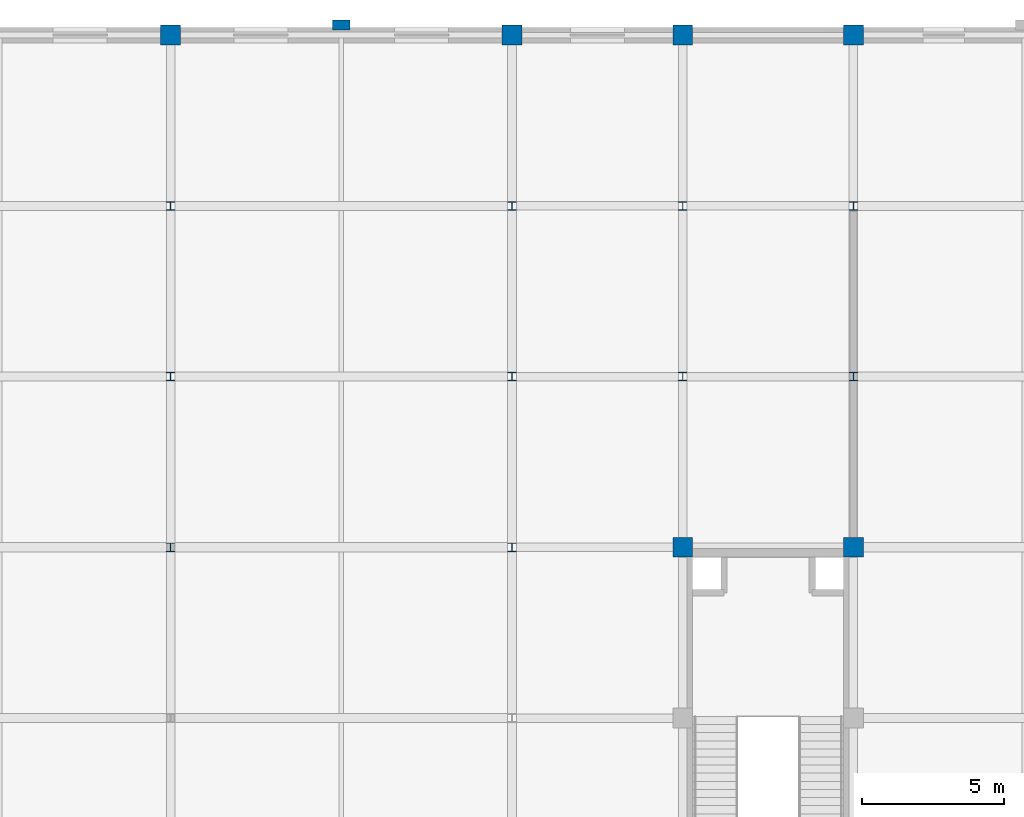
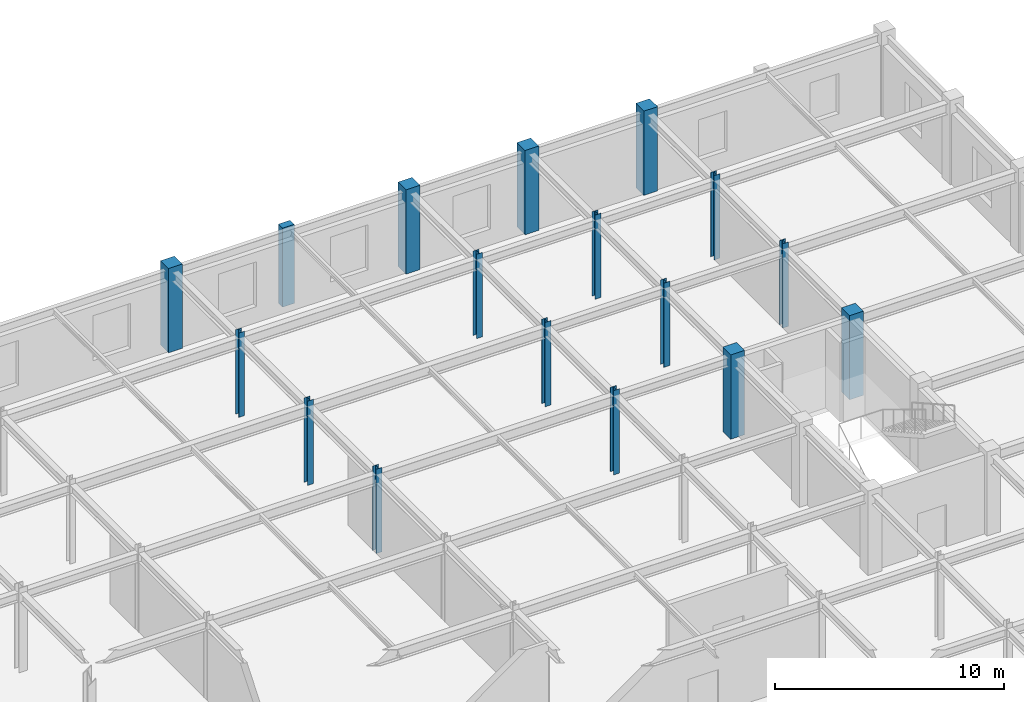
# One storey, part 23 of 108: 17 columns.
"""IFC4 building model written with IfcOpenShell, lengths in metres."""

from ifc_helpers import new_model, si_unit, direction, frame, origin, origin_2d, place, context, subcontext, project, spatial, rectangle, i_section, extrude, material, material_profile, profile_set, type_object, element, save


model = new_model("IFC4")

# Units and contexts
model_context = context("Model", 3, precision=1e-05, world=origin(), true_north=direction((0.0, 1.0)))
body_context = subcontext(model_context, "Body", "Model", "MODEL_VIEW")
ifc_project = project(units=[si_unit("LENGTHUNIT", "METRE"), si_unit("AREAUNIT", "SQUARE_METRE"), si_unit("VOLUMEUNIT", "CUBIC_METRE"), si_unit("PLANEANGLEUNIT", "RADIAN"), si_unit("MASSUNIT", "GRAM", prefix="KILO")], contexts=[model_context])

# Site, building, storey
site_placement = place(None, origin())
site = spatial("IfcSite", under=ifc_project, at=site_placement, CompositionType="ELEMENT")
building_placement = place(site_placement, origin())
building = spatial("IfcBuilding", under=site, at=building_placement, Name="Zlatovratsky Civic Hall", CompositionType="ELEMENT")
storey_placement = place(building_placement, frame((0.0, 0.0, 12.0)))
storey = spatial("IfcBuildingStorey", under=building, at=storey_placement, Name="L03", CompositionType="ELEMENT", Elevation=12.0)

# Columns
ifc_material_1 = material(Name="Concrete C35/45 (B40)", Category="concrete")
ifc_material_profile_1 = material_profile(ifc_material_1, rectangle(XDim=0.699951171875, YDim=0.699951171875, at=origin_2d()), Name="RC 700x700")
ifc_profile_set_1 = profile_set([ifc_material_profile_1], Name="Concrete C35/45 (B40)")
column_type_1 = type_object("IfcColumnType", Name="Col_CorePier_RC700", PredefinedType="COLUMN", material=ifc_profile_set_1)
for number, where, z_axis, x_axis, name in (
    (1, (150.0, 96.0, 0.0), (0.0, 0.0, 1.0), (1.0, 0.0, 0.0), "CL-1479"),
    (2, (156.0, 96.0, 0.0), (0.0, 0.0, 1.0), (1.0, 0.0, 0.0), "CL-1480"),
    (3, (132.0, 114.0, 0.0), (0.0, 0.0, 1.0), (1.0, 0.0, 0.0), "CL-1546"),
    (4, (144.0, 114.0, 0.0), (0.0, 0.0, 1.0), (1.0, 0.0, 0.0), "CL-1547"),
    (5, (150.0, 114.0, 0.0), (0.0, 0.0, 1.0), (1.0, 0.0, 0.0), "CL-1548"),
    (6, (156.0, 114.0, 0.0), (0.0, 0.0, 1.0), (1.0, 0.0, 0.0), "CL-1549"),
):
    element("IfcColumn", number, at=place(storey_placement, frame(where, z_axis=z_axis, x_axis=x_axis)), inside=storey, type_object=column_type_1, Name=name, PredefinedType="COLUMN", context=body_context, shape_type="SweptSolid", body=[
        extrude(rectangle(XDim=0.699951171875, YDim=0.699951171875, at=origin_2d()), origin(), (0.0, 0.0, 1.0), 4.5),
    ])
ifc_material_2 = material(Name="Steel S355", Category="steel")
ifc_material_profile_2 = material_profile(ifc_material_2, i_section(OverallWidth=0.299072265625, OverallDepth=0.2958984375, WebThickness=0.009033203125, FlangeThickness=0.013916015625, FilletRadius=0.01806640625, at=origin_2d()), Name="30K1")
ifc_profile_set_2 = profile_set([ifc_material_profile_2], Name="Steel S355")
column_type_2 = type_object("IfcColumnType", Name="Col_Steel_30K1", PredefinedType="COLUMN", material=ifc_profile_set_2)
for number, where, z_axis, x_axis, name in (
    (7, (132.0, 96.0, 0.0), (0.0, 0.0, 1.0), (1.0, 0.0, 0.0), "CL-1477"),
    (8, (144.0, 96.0, 0.0), (0.0, 0.0, 1.0), (1.0, 0.0, 0.0), "CL-1478"),
    (9, (132.0, 102.0, 0.0), (0.0, 0.0, 1.0), (1.0, 0.0, 0.0), "CL-1500"),
    (10, (144.0, 102.0, 0.0), (0.0, 0.0, 1.0), (1.0, 0.0, 0.0), "CL-1501"),
    (11, (150.0, 102.0, 0.0), (0.0, 0.0, 1.0), (1.0, 0.0, 0.0), "CL-1502"),
    (12, (156.0, 102.0, 0.0), (0.0, 0.0, 1.0), (1.0, 0.0, 0.0), "CL-1503"),
    (13, (132.0, 108.0, 0.0), (0.0, 0.0, 1.0), (1.0, 0.0, 0.0), "CL-1523"),
    (14, (144.0, 108.0, 0.0), (0.0, 0.0, 1.0), (1.0, 0.0, 0.0), "CL-1524"),
    (15, (150.0, 108.0, 0.0), (0.0, 0.0, 1.0), (1.0, 0.0, 0.0), "CL-1525"),
    (16, (156.0, 108.0, 0.0), (0.0, 0.0, 1.0), (1.0, 0.0, 0.0), "CL-1526"),
):
    element("IfcColumn", number, at=place(storey_placement, frame(where, z_axis=z_axis, x_axis=x_axis)), inside=storey, type_object=column_type_2, Name=name, PredefinedType="COLUMN", context=body_context, shape_type="SweptSolid", body=[
        extrude(i_section(OverallWidth=0.299072265625, OverallDepth=0.2958984375, WebThickness=0.009033203125, FlangeThickness=0.013916015625, FilletRadius=0.01806640625, at=origin_2d()), origin(), (0.0, 0.0, 1.0), 4.5),
    ])
ifc_material_profile_3 = material_profile(ifc_material_1, rectangle(XDim=0.60009765625, YDim=0.360107421875, at=origin_2d()), Name="RC 600x360")
ifc_profile_set_3 = profile_set([ifc_material_profile_3], Name="Concrete C35/45 (B40)")
column_type_3 = type_object("IfcColumnType", Name="Pilaster_Classical_RC600x360", PredefinedType="PILASTER", material=ifc_profile_set_3)
column_placement = place(storey_placement, frame((138.0, 114.35009765625, 0.0), z_axis=(0.0, 0.0, 1.0), x_axis=(1.0, 0.0, 0.0)))
element("IfcColumn", 17, at=column_placement, inside=storey, type_object=column_type_3, Name="CL-2745", PredefinedType="PILASTER", context=body_context, shape_type="SweptSolid", body=[
    extrude(rectangle(XDim=0.60009765625, YDim=0.360107421875, at=origin_2d()), origin(), (0.0, 0.0, 1.0), 4.219970703125),
])

save(model, "model.ifc")
